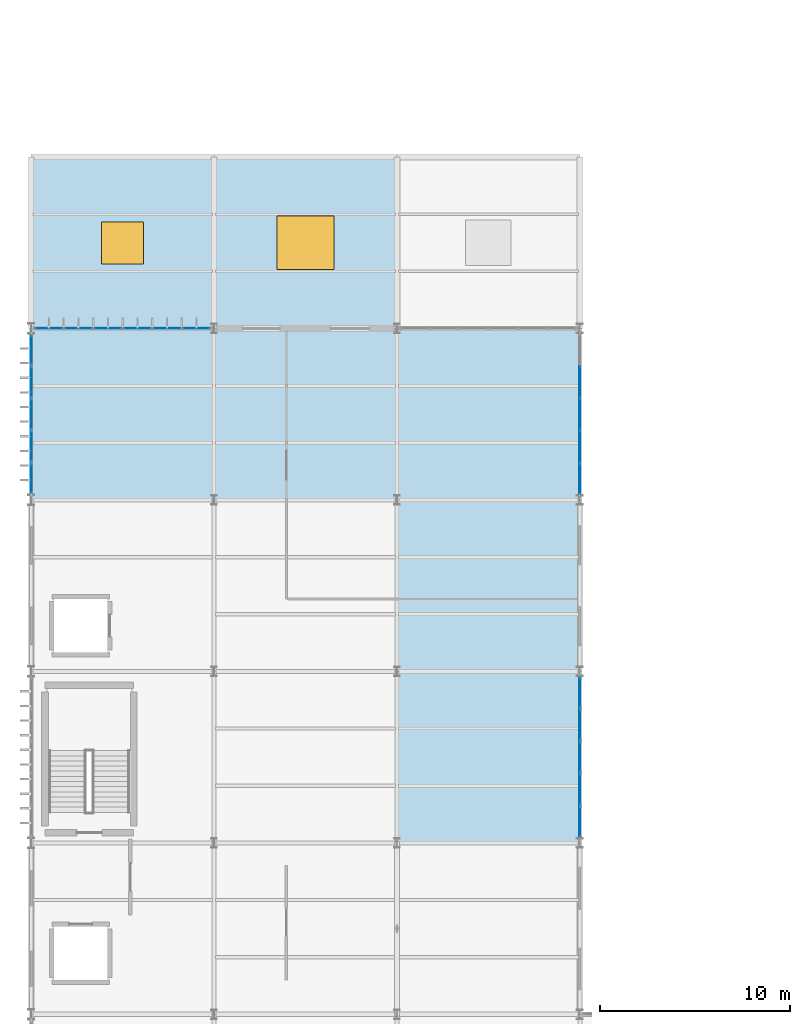
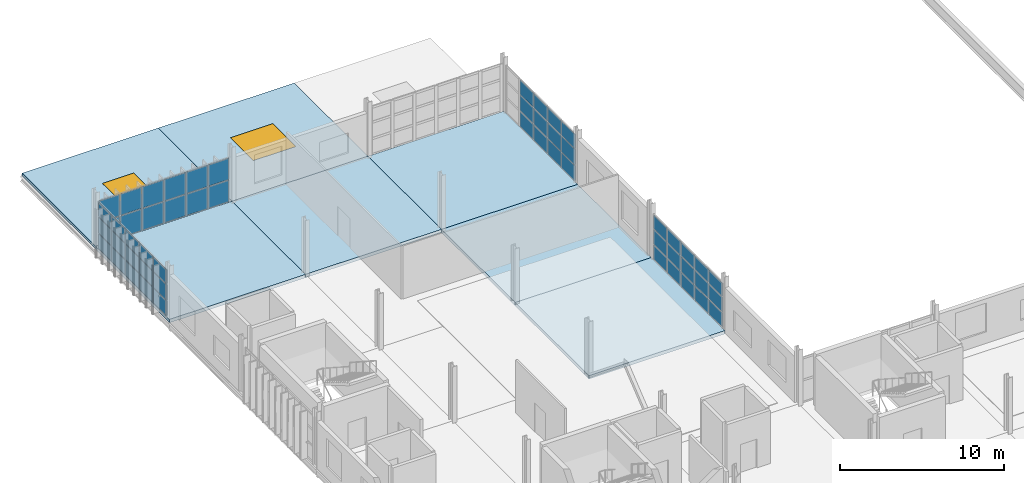
# One storey, part 20 of 52: 54 plates, 7 slabs, 2 windows, 2 openings, 4 elements without a shape of their own.
"""IFC4 building model written with IfcOpenShell, lengths in metres."""

from ifc_helpers import new_model, si_unit, direction, frame, origin, origin_2d, place, context, subcontext, project, spatial, polyline, rectangle, outline, extrude, material, layer, layer_set, type_object, element, fill, aggregate, save


model = new_model("IFC4")

# Units and contexts
model_context = context("Model", 3, precision=1e-05, world=origin(), true_north=direction((0.0, 1.0)))
body_context = subcontext(model_context, "Body", "Model", "MODEL_VIEW")
ifc_project = project(units=[si_unit("LENGTHUNIT", "METRE"), si_unit("AREAUNIT", "SQUARE_METRE"), si_unit("VOLUMEUNIT", "CUBIC_METRE"), si_unit("PLANEANGLEUNIT", "RADIAN"), si_unit("MASSUNIT", "GRAM", prefix="KILO")], contexts=[model_context])

# Site, building, storey
site_placement = place(None, origin())
site = spatial("IfcSite", under=ifc_project, at=site_placement, CompositionType="ELEMENT")
building_placement = place(site_placement, origin())
building = spatial("IfcBuilding", under=site, at=building_placement, Name="Zarnetskaya Central Station", CompositionType="ELEMENT")
storey_placement = place(building_placement, frame((0.0, 0.0, 14.39990234375)))
storey = spatial("IfcBuildingStorey", under=building, at=storey_placement, Name="L03", CompositionType="ELEMENT", Elevation=14.39990234375)

# Curtain wall, plates
ifc_material_1 = material(Name="Low-E insulated glass", Category="glass")
ifc_layer_1 = layer(ifc_material_1, 0.176025390625, Name="Low-E insulated glass", Category="glass")
ifc_layer_set_1 = layer_set([ifc_layer_1], Name="Low-E insulated glass")
curtain_wall_type_1 = type_object("IfcCurtainWallType", Name="CW-SYS-05", PredefinedType="USERDEFINED", material=ifc_layer_set_1)
curtain_wall_1_placement = place(storey_placement, origin())
curtain_wall_1 = element("IfcCurtainWall", 1, at=curtain_wall_1_placement, inside=storey, type_object=curtain_wall_type_1, Name="Curtain wall CW-L03-035", ObjectType="CURTAIN WALL", PredefinedType="USERDEFINED")
ifc_layer_2 = layer(ifc_material_1, 0.028076171875, Name="Low-E insulated glass", Category="glass")
ifc_layer_set_2 = layer_set([ifc_layer_2], Name="Low-E insulated glass")
plate_type_1 = type_object("IfcPlateType", Name="CW-PAN-28", PredefinedType="CURTAIN_PANEL", material=ifc_layer_set_2)
plate_1_placement = place(storey_placement, frame((0.9423828125, 58.199951171875, 0.0703125), z_axis=(0.0, 0.0, 1.0), x_axis=(1.0, 0.0, 0.0)))
plate_1 = element("IfcPlate", 2, at=plate_1_placement, type_object=plate_type_1, Name="CW-14 panel 1.1", PredefinedType="CURTAIN_PANEL", context=body_context, shape_type="SweptSolid", body=[
    extrude(rectangle(XDim=1.445068359375, YDim=0.028076171875, at=origin_2d()), origin(), (0.0, 0.0, 1.0), 1.574951171875),
])
plate_2_placement = place(storey_placement, frame((0.9423828125, 58.199951171875, 1.71533203125), z_axis=(0.0, 0.0, 1.0), x_axis=(1.0, 0.0, 0.0)))
plate_2 = element("IfcPlate", 3, at=plate_2_placement, type_object=plate_type_1, Name="CW-14 panel 1.2", PredefinedType="CURTAIN_PANEL", context=body_context, shape_type="SweptSolid", body=[
    extrude(rectangle(XDim=1.445068359375, YDim=0.028076171875, at=origin_2d()), origin(), (0.0, 0.0, 1.0), 1.574951171875),
])
plate_3_placement = place(storey_placement, frame((2.47509765625, 58.199951171875, 0.0703125), z_axis=(0.0, 0.0, 1.0), x_axis=(1.0, 0.0, 0.0)))
plate_3 = element("IfcPlate", 4, at=plate_3_placement, type_object=plate_type_1, Name="CW-14 panel 2.1", PredefinedType="CURTAIN_PANEL", context=body_context, shape_type="SweptSolid", body=[
    extrude(rectangle(XDim=1.47998046875, YDim=0.028076171875, at=origin_2d()), origin(), (0.0, 0.0, 1.0), 1.574951171875),
])
plate_4_placement = place(storey_placement, frame((2.47509765625, 58.199951171875, 1.71533203125), z_axis=(0.0, 0.0, 1.0), x_axis=(1.0, 0.0, 0.0)))
plate_4 = element("IfcPlate", 5, at=plate_4_placement, type_object=plate_type_1, Name="CW-14 panel 2.2", PredefinedType="CURTAIN_PANEL", context=body_context, shape_type="SweptSolid", body=[
    extrude(rectangle(XDim=1.47998046875, YDim=0.028076171875, at=origin_2d()), origin(), (0.0, 0.0, 1.0), 1.574951171875),
])
plate_5_placement = place(storey_placement, frame((4.02490234375, 58.199951171875, 0.0703125), z_axis=(0.0, 0.0, 1.0), x_axis=(1.0, 0.0, 0.0)))
plate_5 = element("IfcPlate", 6, at=plate_5_placement, type_object=plate_type_1, Name="CW-14 panel 3.1", PredefinedType="CURTAIN_PANEL", context=body_context, shape_type="SweptSolid", body=[
    extrude(rectangle(XDim=1.47998046875, YDim=0.028076171875, at=origin_2d()), origin(), (0.0, 0.0, 1.0), 1.574951171875),
])
plate_6_placement = place(storey_placement, frame((4.02490234375, 58.199951171875, 1.71533203125), z_axis=(0.0, 0.0, 1.0), x_axis=(1.0, 0.0, 0.0)))
plate_6 = element("IfcPlate", 7, at=plate_6_placement, type_object=plate_type_1, Name="CW-14 panel 3.2", PredefinedType="CURTAIN_PANEL", context=body_context, shape_type="SweptSolid", body=[
    extrude(rectangle(XDim=1.47998046875, YDim=0.028076171875, at=origin_2d()), origin(), (0.0, 0.0, 1.0), 1.574951171875),
])
plate_7_placement = place(storey_placement, frame((5.574951171875, 58.199951171875, 0.0703125), z_axis=(0.0, 0.0, 1.0), x_axis=(1.0, 0.0, 0.0)))
plate_7 = element("IfcPlate", 8, at=plate_7_placement, type_object=plate_type_1, Name="CW-14 panel 4.1", PredefinedType="CURTAIN_PANEL", context=body_context, shape_type="SweptSolid", body=[
    extrude(rectangle(XDim=1.47998046875, YDim=0.028076171875, at=origin_2d()), origin(), (0.0, 0.0, 1.0), 1.574951171875),
])
plate_8_placement = place(storey_placement, frame((5.574951171875, 58.199951171875, 1.71533203125), z_axis=(0.0, 0.0, 1.0), x_axis=(1.0, 0.0, 0.0)))
plate_8 = element("IfcPlate", 9, at=plate_8_placement, type_object=plate_type_1, Name="CW-14 panel 4.2", PredefinedType="CURTAIN_PANEL", context=body_context, shape_type="SweptSolid", body=[
    extrude(rectangle(XDim=1.47998046875, YDim=0.028076171875, at=origin_2d()), origin(), (0.0, 0.0, 1.0), 1.574951171875),
])
plate_9_placement = place(storey_placement, frame((7.125, 58.199951171875, 0.0703125), z_axis=(0.0, 0.0, 1.0), x_axis=(1.0, 0.0, 0.0)))
plate_9 = element("IfcPlate", 10, at=plate_9_placement, type_object=plate_type_1, Name="CW-14 panel 5.1", PredefinedType="CURTAIN_PANEL", context=body_context, shape_type="SweptSolid", body=[
    extrude(rectangle(XDim=1.47998046875, YDim=0.028076171875, at=origin_2d()), origin(), (0.0, 0.0, 1.0), 1.574951171875),
])
plate_10_placement = place(storey_placement, frame((7.125, 58.199951171875, 1.71533203125), z_axis=(0.0, 0.0, 1.0), x_axis=(1.0, 0.0, 0.0)))
plate_10 = element("IfcPlate", 11, at=plate_10_placement, type_object=plate_type_1, Name="CW-14 panel 5.2", PredefinedType="CURTAIN_PANEL", context=body_context, shape_type="SweptSolid", body=[
    extrude(rectangle(XDim=1.47998046875, YDim=0.028076171875, at=origin_2d()), origin(), (0.0, 0.0, 1.0), 1.574951171875),
])
plate_11_placement = place(storey_placement, frame((8.657470703125, 58.199951171875, 0.0703125), z_axis=(0.0, 0.0, 1.0), x_axis=(1.0, 0.0, 0.0)))
plate_11 = element("IfcPlate", 12, at=plate_11_placement, type_object=plate_type_1, Name="CW-14 panel 6.1", PredefinedType="CURTAIN_PANEL", context=body_context, shape_type="SweptSolid", body=[
    extrude(rectangle(XDim=1.445068359375, YDim=0.028076171875, at=origin_2d()), origin(), (0.0, 0.0, 1.0), 1.574951171875),
])
plate_12_placement = place(storey_placement, frame((8.657470703125, 58.199951171875, 1.71533203125), z_axis=(0.0, 0.0, 1.0), x_axis=(1.0, 0.0, 0.0)))
plate_12 = element("IfcPlate", 13, at=plate_12_placement, type_object=plate_type_1, Name="CW-14 panel 6.2", PredefinedType="CURTAIN_PANEL", context=body_context, shape_type="SweptSolid", body=[
    extrude(rectangle(XDim=1.445068359375, YDim=0.028076171875, at=origin_2d()), origin(), (0.0, 0.0, 1.0), 1.574951171875),
])
aggregate(curtain_wall_1, [plate_1, plate_2, plate_3, plate_4, plate_5, plate_6, plate_7, plate_8, plate_9, plate_10, plate_11, plate_12])

curtain_wall_2_placement = place(storey_placement, origin())
curtain_wall_2 = element("IfcCurtainWall", 14, at=curtain_wall_2_placement, inside=storey, type_object=curtain_wall_type_1, Name="Curtain wall CW-L03-037", ObjectType="CURTAIN WALL", PredefinedType="USERDEFINED")
ifc_layer_3 = layer(ifc_material_1, 0.035888671875, Name="Low-E insulated glass", Category="glass")
ifc_layer_set_3 = layer_set([ifc_layer_3], Name="Low-E insulated glass")
plate_type_2 = type_object("IfcPlateType", Name="CW-PAN-36", PredefinedType="CURTAIN_PANEL", material=ifc_layer_set_3)
plate_13_placement = place(storey_placement, frame((28.800048828125, 55.39990234375, 0.0703125), z_axis=(0.0, 0.0, 1.0), x_axis=(0.0, -1.0, 0.0)))
plate_13 = element("IfcPlate", 15, at=plate_13_placement, type_object=plate_type_2, Name="CW-14 panel 2.1", PredefinedType="CURTAIN_PANEL", context=body_context, shape_type="SweptSolid", body=[
    extrude(rectangle(XDim=1.6298828125, YDim=0.035888671875, at=origin_2d()), origin(), (0.0, 0.0, 1.0), 1.118896484375),
])
plate_14_placement = place(storey_placement, frame((28.800048828125, 55.39990234375, 1.25927734375), z_axis=(0.0, 0.0, 1.0), x_axis=(0.0, -1.0, 0.0)))
plate_14 = element("IfcPlate", 16, at=plate_14_placement, type_object=plate_type_2, Name="CW-14 panel 2.2", PredefinedType="CURTAIN_PANEL", context=body_context, shape_type="SweptSolid", body=[
    extrude(rectangle(XDim=1.6298828125, YDim=0.035888671875, at=origin_2d()), origin(), (0.0, 0.0, 1.0), 1.154052734375),
])
plate_15_placement = place(storey_placement, frame((28.800048828125, 55.39990234375, 2.48291015625), z_axis=(0.0, 0.0, 1.0), x_axis=(0.0, -1.0, 0.0)))
plate_15 = element("IfcPlate", 17, at=plate_15_placement, type_object=plate_type_2, Name="CW-14 panel 2.3", PredefinedType="CURTAIN_PANEL", context=body_context, shape_type="SweptSolid", body=[
    extrude(rectangle(XDim=1.6298828125, YDim=0.035888671875, at=origin_2d()), origin(), (0.0, 0.0, 1.0), 1.047119140625),
])
plate_16_placement = place(storey_placement, frame((28.800048828125, 53.699951171875, 0.0703125), z_axis=(0.0, 0.0, 1.0), x_axis=(0.0, -1.0, 0.0)))
plate_16 = element("IfcPlate", 18, at=plate_16_placement, type_object=plate_type_2, Name="CW-14 panel 3.1", PredefinedType="CURTAIN_PANEL", context=body_context, shape_type="SweptSolid", body=[
    extrude(rectangle(XDim=1.6298828125, YDim=0.035888671875, at=origin_2d()), origin(), (0.0, 0.0, 1.0), 1.118896484375),
])
plate_17_placement = place(storey_placement, frame((28.800048828125, 53.699951171875, 1.25927734375), z_axis=(0.0, 0.0, 1.0), x_axis=(0.0, -1.0, 0.0)))
plate_17 = element("IfcPlate", 19, at=plate_17_placement, type_object=plate_type_2, Name="CW-14 panel 3.2", PredefinedType="CURTAIN_PANEL", context=body_context, shape_type="SweptSolid", body=[
    extrude(rectangle(XDim=1.6298828125, YDim=0.035888671875, at=origin_2d()), origin(), (0.0, 0.0, 1.0), 1.154052734375),
])
plate_18_placement = place(storey_placement, frame((28.800048828125, 53.699951171875, 2.48291015625), z_axis=(0.0, 0.0, 1.0), x_axis=(0.0, -1.0, 0.0)))
plate_18 = element("IfcPlate", 20, at=plate_18_placement, type_object=plate_type_2, Name="CW-14 panel 3.3", PredefinedType="CURTAIN_PANEL", context=body_context, shape_type="SweptSolid", body=[
    extrude(rectangle(XDim=1.6298828125, YDim=0.035888671875, at=origin_2d()), origin(), (0.0, 0.0, 1.0), 1.047119140625),
])
plate_19_placement = place(storey_placement, frame((28.800048828125, 52.0, 0.0703125), z_axis=(0.0, 0.0, 1.0), x_axis=(0.0, -1.0, 0.0)))
plate_19 = element("IfcPlate", 21, at=plate_19_placement, type_object=plate_type_2, Name="CW-14 panel 4.1", PredefinedType="CURTAIN_PANEL", context=body_context, shape_type="SweptSolid", body=[
    extrude(rectangle(XDim=1.6298828125, YDim=0.035888671875, at=origin_2d()), origin(), (0.0, 0.0, 1.0), 1.118896484375),
])
plate_20_placement = place(storey_placement, frame((28.800048828125, 52.0, 1.25927734375), z_axis=(0.0, 0.0, 1.0), x_axis=(0.0, -1.0, 0.0)))
plate_20 = element("IfcPlate", 22, at=plate_20_placement, type_object=plate_type_2, Name="CW-14 panel 4.2", PredefinedType="CURTAIN_PANEL", context=body_context, shape_type="SweptSolid", body=[
    extrude(rectangle(XDim=1.6298828125, YDim=0.035888671875, at=origin_2d()), origin(), (0.0, 0.0, 1.0), 1.154052734375),
])
plate_21_placement = place(storey_placement, frame((28.800048828125, 52.0, 2.48291015625), z_axis=(0.0, 0.0, 1.0), x_axis=(0.0, -1.0, 0.0)))
plate_21 = element("IfcPlate", 23, at=plate_21_placement, type_object=plate_type_2, Name="CW-14 panel 4.3", PredefinedType="CURTAIN_PANEL", context=body_context, shape_type="SweptSolid", body=[
    extrude(rectangle(XDim=1.6298828125, YDim=0.035888671875, at=origin_2d()), origin(), (0.0, 0.0, 1.0), 1.047119140625),
])
plate_22_placement = place(storey_placement, frame((28.800048828125, 50.3173828125, 0.0703125), z_axis=(0.0, 0.0, 1.0), x_axis=(0.0, -1.0, 0.0)))
plate_22 = element("IfcPlate", 24, at=plate_22_placement, type_object=plate_type_2, Name="CW-14 panel 5.1", PredefinedType="CURTAIN_PANEL", context=body_context, shape_type="SweptSolid", body=[
    extrude(rectangle(XDim=1.594970703125, YDim=0.035888671875, at=origin_2d()), origin(), (0.0, 0.0, 1.0), 1.118896484375),
])
plate_23_placement = place(storey_placement, frame((28.800048828125, 50.3173828125, 1.25927734375), z_axis=(0.0, 0.0, 1.0), x_axis=(0.0, -1.0, 0.0)))
plate_23 = element("IfcPlate", 25, at=plate_23_placement, type_object=plate_type_2, Name="CW-14 panel 5.2", PredefinedType="CURTAIN_PANEL", context=body_context, shape_type="SweptSolid", body=[
    extrude(rectangle(XDim=1.594970703125, YDim=0.035888671875, at=origin_2d()), origin(), (0.0, 0.0, 1.0), 1.154052734375),
])
plate_24_placement = place(storey_placement, frame((28.800048828125, 50.3173828125, 2.48291015625), z_axis=(0.0, 0.0, 1.0), x_axis=(0.0, -1.0, 0.0)))
plate_24 = element("IfcPlate", 26, at=plate_24_placement, type_object=plate_type_2, Name="CW-14 panel 5.3", PredefinedType="CURTAIN_PANEL", context=body_context, shape_type="SweptSolid", body=[
    extrude(rectangle(XDim=1.594970703125, YDim=0.035888671875, at=origin_2d()), origin(), (0.0, 0.0, 1.0), 1.047119140625),
])
aggregate(curtain_wall_2, [plate_13, plate_14, plate_15, plate_16, plate_17, plate_18, plate_19, plate_20, plate_21, plate_22, plate_23, plate_24])

ifc_layer_4 = layer(ifc_material_1, 0.1640625, Name="Low-E insulated glass", Category="glass")
ifc_layer_set_4 = layer_set([ifc_layer_4], Name="Low-E insulated glass")
curtain_wall_type_2 = type_object("IfcCurtainWallType", Name="CW-SYS-07", PredefinedType="USERDEFINED", material=ifc_layer_set_4)
curtain_wall_3_placement = place(storey_placement, origin())
curtain_wall_3 = element("IfcCurtainWall", 27, at=curtain_wall_3_placement, inside=storey, type_object=curtain_wall_type_2, Name="Curtain wall CW-L03-038", ObjectType="CURTAIN WALL", PredefinedType="USERDEFINED")
ifc_layer_5 = layer(ifc_material_1, 0.0400390625, Name="Low-E insulated glass", Category="glass")
ifc_layer_set_5 = layer_set([ifc_layer_5], Name="Low-E insulated glass")
plate_type_3 = type_object("IfcPlateType", Name="CW-PAN-40", PredefinedType="CURTAIN_PANEL", material=ifc_layer_set_5)
plate_25_placement = place(storey_placement, frame((28.800048828125, 39.080078125, 0.080078125), z_axis=(0.0, 0.0, 1.0), x_axis=(0.0, -1.0, 0.0)))
plate_25 = element("IfcPlate", 28, at=plate_25_placement, type_object=plate_type_3, Name="CW-06 panel 1.1", PredefinedType="CURTAIN_PANEL", context=body_context, shape_type="SweptSolid", body=[
    extrude(rectangle(XDim=1.580078125, YDim=0.0400390625, at=origin_2d()), origin(), (0.0, 0.0, 1.0), 1.0458984375),
])
plate_26_placement = place(storey_placement, frame((28.800048828125, 39.080078125, 1.2060546875), z_axis=(0.0, 0.0, 1.0), x_axis=(0.0, -1.0, 0.0)))
plate_26 = element("IfcPlate", 29, at=plate_26_placement, type_object=plate_type_3, Name="CW-06 panel 1.2", PredefinedType="CURTAIN_PANEL", context=body_context, shape_type="SweptSolid", body=[
    extrude(rectangle(XDim=1.580078125, YDim=0.0400390625, at=origin_2d()), origin(), (0.0, 0.0, 1.0), 1.0859375),
])
plate_27_placement = place(storey_placement, frame((28.800048828125, 39.080078125, 2.3720703125), z_axis=(0.0, 0.0, 1.0), x_axis=(0.0, -1.0, 0.0)))
plate_27 = element("IfcPlate", 30, at=plate_27_placement, type_object=plate_type_3, Name="CW-06 panel 1.3", PredefinedType="CURTAIN_PANEL", context=body_context, shape_type="SweptSolid", body=[
    extrude(rectangle(XDim=1.580078125, YDim=0.0400390625, at=origin_2d()), origin(), (0.0, 0.0, 1.0), 0.97802734375),
])
plate_28_placement = place(storey_placement, frame((28.800048828125, 37.39990234375, 0.080078125), z_axis=(0.0, 0.0, 1.0), x_axis=(0.0, -1.0, 0.0)))
plate_28 = element("IfcPlate", 31, at=plate_28_placement, type_object=plate_type_3, Name="CW-06 panel 2.1", PredefinedType="CURTAIN_PANEL", context=body_context, shape_type="SweptSolid", body=[
    extrude(rectangle(XDim=1.6201171875, YDim=0.0400390625, at=origin_2d()), origin(), (0.0, 0.0, 1.0), 1.0458984375),
])
plate_29_placement = place(storey_placement, frame((28.800048828125, 37.39990234375, 1.2060546875), z_axis=(0.0, 0.0, 1.0), x_axis=(0.0, -1.0, 0.0)))
plate_29 = element("IfcPlate", 32, at=plate_29_placement, type_object=plate_type_3, Name="CW-06 panel 2.2", PredefinedType="CURTAIN_PANEL", context=body_context, shape_type="SweptSolid", body=[
    extrude(rectangle(XDim=1.6201171875, YDim=0.0400390625, at=origin_2d()), origin(), (0.0, 0.0, 1.0), 1.0859375),
])
plate_30_placement = place(storey_placement, frame((28.800048828125, 37.39990234375, 2.3720703125), z_axis=(0.0, 0.0, 1.0), x_axis=(0.0, -1.0, 0.0)))
plate_30 = element("IfcPlate", 33, at=plate_30_placement, type_object=plate_type_3, Name="CW-06 panel 2.3", PredefinedType="CURTAIN_PANEL", context=body_context, shape_type="SweptSolid", body=[
    extrude(rectangle(XDim=1.6201171875, YDim=0.0400390625, at=origin_2d()), origin(), (0.0, 0.0, 1.0), 0.97802734375),
])
plate_31_placement = place(storey_placement, frame((28.800048828125, 35.699951171875, 0.080078125), z_axis=(0.0, 0.0, 1.0), x_axis=(0.0, -1.0, 0.0)))
plate_31 = element("IfcPlate", 34, at=plate_31_placement, type_object=plate_type_3, Name="CW-06 panel 3.1", PredefinedType="CURTAIN_PANEL", context=body_context, shape_type="SweptSolid", body=[
    extrude(rectangle(XDim=1.6201171875, YDim=0.0400390625, at=origin_2d()), origin(), (0.0, 0.0, 1.0), 1.0458984375),
])
plate_32_placement = place(storey_placement, frame((28.800048828125, 35.699951171875, 1.2060546875), z_axis=(0.0, 0.0, 1.0), x_axis=(0.0, -1.0, 0.0)))
plate_32 = element("IfcPlate", 35, at=plate_32_placement, type_object=plate_type_3, Name="CW-06 panel 3.2", PredefinedType="CURTAIN_PANEL", context=body_context, shape_type="SweptSolid", body=[
    extrude(rectangle(XDim=1.6201171875, YDim=0.0400390625, at=origin_2d()), origin(), (0.0, 0.0, 1.0), 1.0859375),
])
plate_33_placement = place(storey_placement, frame((28.800048828125, 35.699951171875, 2.3720703125), z_axis=(0.0, 0.0, 1.0), x_axis=(0.0, -1.0, 0.0)))
plate_33 = element("IfcPlate", 36, at=plate_33_placement, type_object=plate_type_3, Name="CW-06 panel 3.3", PredefinedType="CURTAIN_PANEL", context=body_context, shape_type="SweptSolid", body=[
    extrude(rectangle(XDim=1.6201171875, YDim=0.0400390625, at=origin_2d()), origin(), (0.0, 0.0, 1.0), 0.97802734375),
])
plate_34_placement = place(storey_placement, frame((28.800048828125, 34.0, 0.080078125), z_axis=(0.0, 0.0, 1.0), x_axis=(0.0, -1.0, 0.0)))
plate_34 = element("IfcPlate", 37, at=plate_34_placement, type_object=plate_type_3, Name="CW-06 panel 4.1", PredefinedType="CURTAIN_PANEL", context=body_context, shape_type="SweptSolid", body=[
    extrude(rectangle(XDim=1.6201171875, YDim=0.0400390625, at=origin_2d()), origin(), (0.0, 0.0, 1.0), 1.0458984375),
])
plate_35_placement = place(storey_placement, frame((28.800048828125, 34.0, 1.2060546875), z_axis=(0.0, 0.0, 1.0), x_axis=(0.0, -1.0, 0.0)))
plate_35 = element("IfcPlate", 38, at=plate_35_placement, type_object=plate_type_3, Name="CW-06 panel 4.2", PredefinedType="CURTAIN_PANEL", context=body_context, shape_type="SweptSolid", body=[
    extrude(rectangle(XDim=1.6201171875, YDim=0.0400390625, at=origin_2d()), origin(), (0.0, 0.0, 1.0), 1.0859375),
])
plate_36_placement = place(storey_placement, frame((28.800048828125, 34.0, 2.3720703125), z_axis=(0.0, 0.0, 1.0), x_axis=(0.0, -1.0, 0.0)))
plate_36 = element("IfcPlate", 39, at=plate_36_placement, type_object=plate_type_3, Name="CW-06 panel 4.3", PredefinedType="CURTAIN_PANEL", context=body_context, shape_type="SweptSolid", body=[
    extrude(rectangle(XDim=1.6201171875, YDim=0.0400390625, at=origin_2d()), origin(), (0.0, 0.0, 1.0), 0.97802734375),
])
plate_37_placement = place(storey_placement, frame((28.800048828125, 32.320068359375, 0.080078125), z_axis=(0.0, 0.0, 1.0), x_axis=(0.0, -1.0, 0.0)))
plate_37 = element("IfcPlate", 40, at=plate_37_placement, type_object=plate_type_3, Name="CW-06 panel 5.1", PredefinedType="CURTAIN_PANEL", context=body_context, shape_type="SweptSolid", body=[
    extrude(rectangle(XDim=1.580078125, YDim=0.0400390625, at=origin_2d()), origin(), (0.0, 0.0, 1.0), 1.0458984375),
])
plate_38_placement = place(storey_placement, frame((28.800048828125, 32.320068359375, 1.2060546875), z_axis=(0.0, 0.0, 1.0), x_axis=(0.0, -1.0, 0.0)))
plate_38 = element("IfcPlate", 41, at=plate_38_placement, type_object=plate_type_3, Name="CW-06 panel 5.2", PredefinedType="CURTAIN_PANEL", context=body_context, shape_type="SweptSolid", body=[
    extrude(rectangle(XDim=1.580078125, YDim=0.0400390625, at=origin_2d()), origin(), (0.0, 0.0, 1.0), 1.0859375),
])
plate_39_placement = place(storey_placement, frame((28.800048828125, 32.320068359375, 2.3720703125), z_axis=(0.0, 0.0, 1.0), x_axis=(0.0, -1.0, 0.0)))
plate_39 = element("IfcPlate", 42, at=plate_39_placement, type_object=plate_type_3, Name="CW-06 panel 5.3", PredefinedType="CURTAIN_PANEL", context=body_context, shape_type="SweptSolid", body=[
    extrude(rectangle(XDim=1.580078125, YDim=0.0400390625, at=origin_2d()), origin(), (0.0, 0.0, 1.0), 0.97802734375),
])
aggregate(curtain_wall_3, [plate_25, plate_26, plate_27, plate_28, plate_29, plate_30, plate_31, plate_32, plate_33, plate_34, plate_35, plate_36, plate_37, plate_38, plate_39])

ifc_layer_6 = layer(ifc_material_1, 0.159912109375, Name="Low-E insulated glass", Category="glass")
ifc_layer_set_6 = layer_set([ifc_layer_6], Name="Low-E insulated glass")
curtain_wall_type_3 = type_object("IfcCurtainWallType", Name="CW-SYS-11", PredefinedType="USERDEFINED", material=ifc_layer_set_6)
curtain_wall_4_placement = place(storey_placement, origin())
curtain_wall_4 = element("IfcCurtainWall", 43, at=curtain_wall_4_placement, inside=storey, type_object=curtain_wall_type_3, Name="Curtain wall CW-L03-034", ObjectType="CURTAIN WALL", PredefinedType="USERDEFINED")
ifc_layer_7 = layer(ifc_material_1, 0.0439453125, Name="Low-E insulated glass", Category="glass")
ifc_layer_set_7 = layer_set([ifc_layer_7], Name="Low-E insulated glass")
plate_type_4 = type_object("IfcPlateType", Name="CW-PAN-44", PredefinedType="CURTAIN_PANEL", material=ifc_layer_set_7)
plate_40_placement = place(storey_placement, frame((0.0, 50.340087890625, 0.080078125), z_axis=(0.0, 0.0, 1.0), x_axis=(0.0, 1.0, 0.0)))
plate_40 = element("IfcPlate", 44, at=plate_40_placement, type_object=plate_type_4, Name="CW-09 panel 1.1", PredefinedType="CURTAIN_PANEL", context=body_context, shape_type="SweptSolid", body=[
    extrude(rectangle(XDim=1.570068359375, YDim=0.0439453125, at=origin_2d()), origin(), (0.0, 0.0, 1.0), 1.090087890625),
])
plate_41_placement = place(storey_placement, frame((0.0, 50.340087890625, 1.25), z_axis=(0.0, 0.0, 1.0), x_axis=(0.0, 1.0, 0.0)))
plate_41 = element("IfcPlate", 45, at=plate_41_placement, type_object=plate_type_4, Name="CW-09 panel 1.2", PredefinedType="CURTAIN_PANEL", context=body_context, shape_type="SweptSolid", body=[
    extrude(rectangle(XDim=1.570068359375, YDim=0.0439453125, at=origin_2d()), origin(), (0.0, 0.0, 1.0), 1.131103515625),
])
plate_42_placement = place(storey_placement, frame((0.0, 50.340087890625, 2.461181640625), z_axis=(0.0, 0.0, 1.0), x_axis=(0.0, 1.0, 0.0)))
plate_42 = element("IfcPlate", 46, at=plate_42_placement, type_object=plate_type_4, Name="CW-09 panel 1.3", PredefinedType="CURTAIN_PANEL", context=body_context, shape_type="SweptSolid", body=[
    extrude(rectangle(XDim=1.570068359375, YDim=0.0439453125, at=origin_2d()), origin(), (0.0, 0.0, 1.0), 1.01904296875),
])
plate_43_placement = place(storey_placement, frame((0.0, 52.010009765625, 0.080078125), z_axis=(0.0, 0.0, 1.0), x_axis=(0.0, 1.0, 0.0)))
plate_43 = element("IfcPlate", 47, at=plate_43_placement, type_object=plate_type_4, Name="CW-09 panel 2.1", PredefinedType="CURTAIN_PANEL", context=body_context, shape_type="SweptSolid", body=[
    extrude(rectangle(XDim=1.610107421875, YDim=0.0439453125, at=origin_2d()), origin(), (0.0, 0.0, 1.0), 1.090087890625),
])
plate_44_placement = place(storey_placement, frame((0.0, 52.010009765625, 1.25), z_axis=(0.0, 0.0, 1.0), x_axis=(0.0, 1.0, 0.0)))
plate_44 = element("IfcPlate", 48, at=plate_44_placement, type_object=plate_type_4, Name="CW-09 panel 2.2", PredefinedType="CURTAIN_PANEL", context=body_context, shape_type="SweptSolid", body=[
    extrude(rectangle(XDim=1.610107421875, YDim=0.0439453125, at=origin_2d()), origin(), (0.0, 0.0, 1.0), 1.131103515625),
])
plate_45_placement = place(storey_placement, frame((0.0, 52.010009765625, 2.461181640625), z_axis=(0.0, 0.0, 1.0), x_axis=(0.0, 1.0, 0.0)))
plate_45 = element("IfcPlate", 49, at=plate_45_placement, type_object=plate_type_4, Name="CW-09 panel 2.3", PredefinedType="CURTAIN_PANEL", context=body_context, shape_type="SweptSolid", body=[
    extrude(rectangle(XDim=1.610107421875, YDim=0.0439453125, at=origin_2d()), origin(), (0.0, 0.0, 1.0), 1.01904296875),
])
plate_46_placement = place(storey_placement, frame((0.0, 53.699951171875, 0.080078125), z_axis=(0.0, 0.0, 1.0), x_axis=(0.0, 1.0, 0.0)))
plate_46 = element("IfcPlate", 50, at=plate_46_placement, type_object=plate_type_4, Name="CW-09 panel 3.1", PredefinedType="CURTAIN_PANEL", context=body_context, shape_type="SweptSolid", body=[
    extrude(rectangle(XDim=1.610107421875, YDim=0.0439453125, at=origin_2d()), origin(), (0.0, 0.0, 1.0), 1.090087890625),
])
plate_47_placement = place(storey_placement, frame((0.0, 53.699951171875, 1.25), z_axis=(0.0, 0.0, 1.0), x_axis=(0.0, 1.0, 0.0)))
plate_47 = element("IfcPlate", 51, at=plate_47_placement, type_object=plate_type_4, Name="CW-09 panel 3.2", PredefinedType="CURTAIN_PANEL", context=body_context, shape_type="SweptSolid", body=[
    extrude(rectangle(XDim=1.610107421875, YDim=0.0439453125, at=origin_2d()), origin(), (0.0, 0.0, 1.0), 1.131103515625),
])
plate_48_placement = place(storey_placement, frame((0.0, 53.699951171875, 2.461181640625), z_axis=(0.0, 0.0, 1.0), x_axis=(0.0, 1.0, 0.0)))
plate_48 = element("IfcPlate", 52, at=plate_48_placement, type_object=plate_type_4, Name="CW-09 panel 3.3", PredefinedType="CURTAIN_PANEL", context=body_context, shape_type="SweptSolid", body=[
    extrude(rectangle(XDim=1.610107421875, YDim=0.0439453125, at=origin_2d()), origin(), (0.0, 0.0, 1.0), 1.01904296875),
])
plate_49_placement = place(storey_placement, frame((0.0, 55.389892578125, 0.080078125), z_axis=(0.0, 0.0, 1.0), x_axis=(0.0, 1.0, 0.0)))
plate_49 = element("IfcPlate", 53, at=plate_49_placement, type_object=plate_type_4, Name="CW-09 panel 4.1", PredefinedType="CURTAIN_PANEL", context=body_context, shape_type="SweptSolid", body=[
    extrude(rectangle(XDim=1.610107421875, YDim=0.0439453125, at=origin_2d()), origin(), (0.0, 0.0, 1.0), 1.090087890625),
])
plate_50_placement = place(storey_placement, frame((0.0, 55.389892578125, 1.25), z_axis=(0.0, 0.0, 1.0), x_axis=(0.0, 1.0, 0.0)))
plate_50 = element("IfcPlate", 54, at=plate_50_placement, type_object=plate_type_4, Name="CW-09 panel 4.2", PredefinedType="CURTAIN_PANEL", context=body_context, shape_type="SweptSolid", body=[
    extrude(rectangle(XDim=1.610107421875, YDim=0.0439453125, at=origin_2d()), origin(), (0.0, 0.0, 1.0), 1.131103515625),
])
plate_51_placement = place(storey_placement, frame((0.0, 55.389892578125, 2.461181640625), z_axis=(0.0, 0.0, 1.0), x_axis=(0.0, 1.0, 0.0)))
plate_51 = element("IfcPlate", 55, at=plate_51_placement, type_object=plate_type_4, Name="CW-09 panel 4.3", PredefinedType="CURTAIN_PANEL", context=body_context, shape_type="SweptSolid", body=[
    extrude(rectangle(XDim=1.610107421875, YDim=0.0439453125, at=origin_2d()), origin(), (0.0, 0.0, 1.0), 1.01904296875),
])
plate_52_placement = place(storey_placement, frame((0.0, 57.06005859375, 0.080078125), z_axis=(0.0, 0.0, 1.0), x_axis=(0.0, 1.0, 0.0)))
plate_52 = element("IfcPlate", 56, at=plate_52_placement, type_object=plate_type_4, Name="CW-09 panel 5.1", PredefinedType="CURTAIN_PANEL", context=body_context, shape_type="SweptSolid", body=[
    extrude(rectangle(XDim=1.570068359375, YDim=0.0439453125, at=origin_2d()), origin(), (0.0, 0.0, 1.0), 1.090087890625),
])
plate_53_placement = place(storey_placement, frame((0.0, 57.06005859375, 1.25), z_axis=(0.0, 0.0, 1.0), x_axis=(0.0, 1.0, 0.0)))
plate_53 = element("IfcPlate", 57, at=plate_53_placement, type_object=plate_type_4, Name="CW-09 panel 5.2", PredefinedType="CURTAIN_PANEL", context=body_context, shape_type="SweptSolid", body=[
    extrude(rectangle(XDim=1.570068359375, YDim=0.0439453125, at=origin_2d()), origin(), (0.0, 0.0, 1.0), 1.131103515625),
])
plate_54_placement = place(storey_placement, frame((0.0, 57.06005859375, 2.461181640625), z_axis=(0.0, 0.0, 1.0), x_axis=(0.0, 1.0, 0.0)))
plate_54 = element("IfcPlate", 58, at=plate_54_placement, type_object=plate_type_4, Name="CW-09 panel 5.3", PredefinedType="CURTAIN_PANEL", context=body_context, shape_type="SweptSolid", body=[
    extrude(rectangle(XDim=1.570068359375, YDim=0.0439453125, at=origin_2d()), origin(), (0.0, 0.0, 1.0), 1.01904296875),
])
aggregate(curtain_wall_4, [plate_40, plate_41, plate_42, plate_43, plate_44, plate_45, plate_46, plate_47, plate_48, plate_49, plate_50, plate_51, plate_52, plate_53, plate_54])

# Slab, opening, window
ifc_material_2 = material(Name="Concrete C30/37", Category="concrete")
ifc_layer_8 = layer(ifc_material_2, 0.2099609375, Name="Concrete C30/37", Category="concrete")
ifc_layer_set_8 = layer_set([ifc_layer_8], Name="Concrete C30/37")
slab_type_1 = type_object("IfcSlabType", Name="ROOF-FLAT-210", PredefinedType="ROOF", material=ifc_layer_set_8)
slab_1_placement = place(storey_placement, frame((0.0, 0.0, -0.2099609375)))
slab_1 = element("IfcSlab", 59, at=slab_1_placement, inside=storey, type_object=slab_type_1, Name="L03 slab A-B/8-9", PredefinedType="ROOF", context=body_context, shape_type="SweptSolid", body=[
    extrude(outline(polyline([(0.0, 58.199951171875), (9.60009765625, 58.199951171875), (9.60009765625, 67.199951171875), (0.0, 67.199951171875), (0.0, 58.199951171875)])), origin(), (0.0, 0.0, 1.0), 0.2099609375),
])
opening_1_placement = place(slab_1_placement, frame((4.800048828125, 62.699951171875, 0.0)))
opening_1 = element("IfcOpeningElement", 60, at=opening_1_placement, cuts=slab_1, Name="Opening SK-01", PredefinedType="OPENING", context=body_context, shape_type="SweptSolid", body=[
    extrude(rectangle(XDim=2.199951171875, YDim=2.199951171875, at=origin_2d()), frame((0.0, 0.0, -0.010009765625)), (0.0, 0.0, 1.0), 0.22998046875),
])
window_type_1 = type_object("IfcWindowType", Name="SKY-05", PartitioningType="SINGLE_PANEL", PredefinedType="SKYLIGHT", material=ifc_material_1)
window_1_placement = place(opening_1_placement, frame((0.0, 0.0, 0.159912109375)))
window_1 = element("IfcWindow", 61, at=window_1_placement, inside=storey, type_object=window_type_1, Name="Insulated roof skylight 05", OverallHeight=2.199951171875, OverallWidth=2.199951171875, PartitioningType="SINGLE_PANEL", PredefinedType="SKYLIGHT", context=body_context, shape_type="SweptSolid", body=[
    extrude(rectangle(XDim=2.199951171875, YDim=2.199951171875, at=origin_2d()), origin(), (0.0, 0.0, 1.0), 0.050048828125),
])
fill(opening_1, window_1)

slab_2_placement = place(storey_placement, frame((0.0, 0.0, -0.2099609375)))
slab_2 = element("IfcSlab", 62, at=slab_2_placement, inside=storey, type_object=slab_type_1, Name="L03 slab B-C/8-9", PredefinedType="ROOF", context=body_context, shape_type="SweptSolid", body=[
    extrude(outline(polyline([(9.60009765625, 58.199951171875), (19.199951171875, 58.199951171875), (19.199951171875, 67.199951171875), (9.60009765625, 67.199951171875), (9.60009765625, 58.199951171875)])), origin(), (0.0, 0.0, 1.0), 0.2099609375),
])
opening_2_placement = place(slab_2_placement, frame((14.39990234375, 62.699951171875, 0.0)))
opening_2 = element("IfcOpeningElement", 63, at=opening_2_placement, cuts=slab_2, Name="Opening SK-04", PredefinedType="OPENING", context=body_context, shape_type="SweptSolid", body=[
    extrude(rectangle(XDim=3.0, YDim=2.800048828125, at=origin_2d()), frame((0.0, 0.0, -0.010009765625)), (0.0, 0.0, 1.0), 0.22998046875),
])
window_type_2 = type_object("IfcWindowType", Name="SKY-06", PartitioningType="SINGLE_PANEL", PredefinedType="SKYLIGHT", material=ifc_material_1)
window_2_placement = place(opening_2_placement, frame((0.0, 0.0, 0.159912109375)))
window_2 = element("IfcWindow", 64, at=window_2_placement, inside=storey, type_object=window_type_2, Name="Insulated roof skylight 06", OverallHeight=2.800048828125, OverallWidth=3.0, PartitioningType="SINGLE_PANEL", PredefinedType="SKYLIGHT", context=body_context, shape_type="SweptSolid", body=[
    extrude(rectangle(XDim=3.0, YDim=2.800048828125, at=origin_2d()), origin(), (0.0, 0.0, 1.0), 0.050048828125),
])
fill(opening_2, window_2)

# Slabs
ifc_layer_9 = layer(ifc_material_2, 0.25, Name="Concrete C30/37", Category="concrete")
ifc_layer_set_9 = layer_set([ifc_layer_9], Name="Concrete C30/37")
slab_type_2 = type_object("IfcSlabType", Name="SLAB-L03-250", PredefinedType="FLOOR", material=ifc_layer_set_9)
slab_3_placement = place(storey_placement, frame((0.0, 0.0, -0.25)))
element("IfcSlab", 65, at=slab_3_placement, inside=storey, type_object=slab_type_2, Name="L03 slab A-B/7-8", PredefinedType="FLOOR", context=body_context, shape_type="SweptSolid", body=[
    extrude(outline(polyline([(0.0, 49.199951171875), (9.60009765625, 49.199951171875), (9.60009765625, 58.199951171875), (0.0, 58.199951171875), (0.0, 49.199951171875)])), origin(), (0.0, 0.0, 1.0), 0.25),
])
slab_4_placement = place(storey_placement, frame((0.0, 0.0, -0.25)))
element("IfcSlab", 66, at=slab_4_placement, inside=storey, type_object=slab_type_2, Name="L03 slab B-C/7-8", PredefinedType="FLOOR", context=body_context, shape_type="SweptSolid", body=[
    extrude(outline(polyline([(9.60009765625, 49.199951171875), (19.199951171875, 49.199951171875), (19.199951171875, 58.199951171875), (9.60009765625, 58.199951171875), (9.60009765625, 49.199951171875)])), origin(), (0.0, 0.0, 1.0), 0.25),
])
slab_5_placement = place(storey_placement, frame((0.0, 0.0, -0.25)))
element("IfcSlab", 67, at=slab_5_placement, inside=storey, type_object=slab_type_2, Name="L03 slab C-D/5-6", PredefinedType="FLOOR", context=body_context, shape_type="SweptSolid", body=[
    extrude(outline(polyline([(19.199951171875, 31.199951171875), (28.800048828125, 31.199951171875), (28.800048828125, 40.199951171875), (19.199951171875, 40.199951171875), (19.199951171875, 31.199951171875)])), origin(), (0.0, 0.0, 1.0), 0.25),
])
slab_6_placement = place(storey_placement, frame((0.0, 0.0, -0.25)))
element("IfcSlab", 68, at=slab_6_placement, inside=storey, type_object=slab_type_2, Name="L03 slab C-D/6-7", PredefinedType="FLOOR", context=body_context, shape_type="SweptSolid", body=[
    extrude(outline(polyline([(19.199951171875, 40.199951171875), (28.800048828125, 40.199951171875), (28.800048828125, 49.199951171875), (19.199951171875, 49.199951171875), (19.199951171875, 40.199951171875)])), origin(), (0.0, 0.0, 1.0), 0.25),
])
slab_7_placement = place(storey_placement, frame((0.0, 0.0, -0.25)))
element("IfcSlab", 69, at=slab_7_placement, inside=storey, type_object=slab_type_2, Name="L03 slab C-D/7-8", PredefinedType="FLOOR", context=body_context, shape_type="SweptSolid", body=[
    extrude(outline(polyline([(19.199951171875, 49.199951171875), (28.800048828125, 49.199951171875), (28.800048828125, 58.199951171875), (19.199951171875, 58.199951171875), (19.199951171875, 49.199951171875)])), origin(), (0.0, 0.0, 1.0), 0.25),
])

save(model, "model.ifc")
